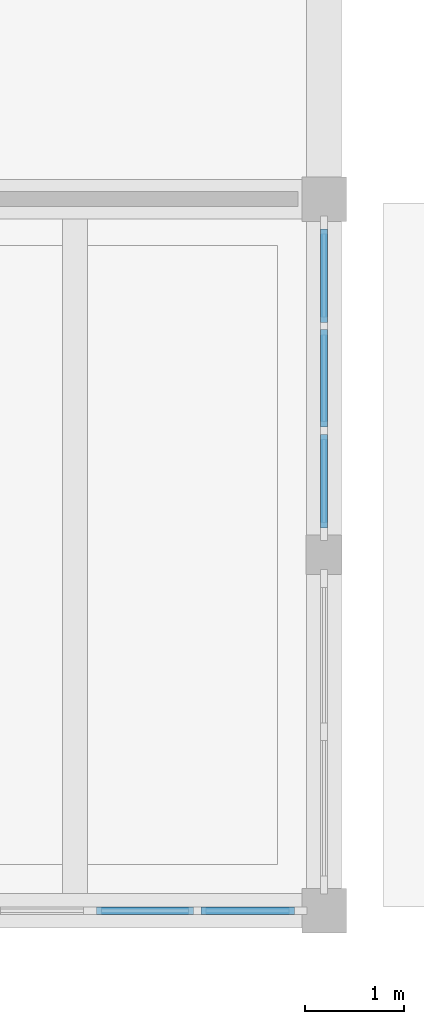
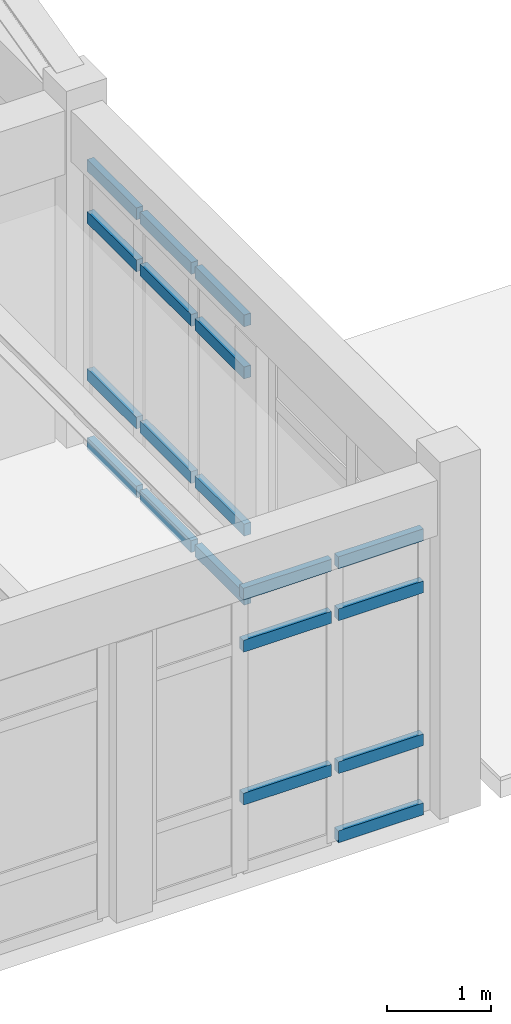
# One storey, part 66 of 136: 19 members, 2 elements without a shape of their own.
"""IFC4 building model written with IfcOpenShell, lengths in metres."""

from ifc_helpers import new_model, si_unit, direction, frame, origin, origin_2d, place, context, subcontext, project, spatial, rectangle, extrude, material, layer, layer_set, material_profile, profile_set, type_object, element, aggregate, save


model = new_model("IFC4")

# Units and contexts
model_context = context("Model", 3, precision=1e-05, world=origin(), true_north=direction((0.0, 1.0)))
body_context = subcontext(model_context, "Body", "Model", "MODEL_VIEW")
ifc_project = project(units=[si_unit("LENGTHUNIT", "METRE"), si_unit("AREAUNIT", "SQUARE_METRE"), si_unit("VOLUMEUNIT", "CUBIC_METRE"), si_unit("PLANEANGLEUNIT", "RADIAN"), si_unit("MASSUNIT", "GRAM", prefix="KILO")], contexts=[model_context])

# Site, building, storey
site_placement = place(None, origin())
site = spatial("IfcSite", under=ifc_project, at=site_placement, CompositionType="ELEMENT")
building_placement = place(site_placement, origin())
building = spatial("IfcBuilding", under=site, at=building_placement, Name="Koriwan Promenade Central Fire Station", CompositionType="ELEMENT")
storey_placement = place(building_placement, frame((0.0, 0.0, 5.39990234375)))
storey = spatial("IfcBuildingStorey", under=building, at=storey_placement, Name="L01", CompositionType="ELEMENT", Elevation=5.39990234375)

# Curtain wall, members
ifc_material_1 = material(Name="Aluminium EN AW-6063-T6 and low-E glazing", Category="aluminium")
ifc_layer_1 = layer(ifc_material_1, 0.159912109375, Name="Aluminium EN AW-6063-T6 and low-E glazing")
ifc_layer_set_1 = layer_set([ifc_layer_1], Name="Aluminium EN AW-6063-T6 and low-E glazing")
curtain_wall_type_1 = type_object("IfcCurtainWallType", Name="CurtainWall_27_318x335", PredefinedType="USERDEFINED", material=ifc_layer_set_1)
curtain_wall_1_placement = place(storey_placement, origin())
curtain_wall_1 = element("IfcCurtainWall", 1, at=curtain_wall_1_placement, inside=storey, type_object=curtain_wall_type_1, Name="V3 L01 unitised curtain wall 068", ObjectType="UNITISED CURTAIN WALL", PredefinedType="USERDEFINED")
ifc_material_2 = material(Name="Aluminium EN AW-6063-T6", Category="aluminium")
ifc_material_profile = material_profile(ifc_material_2, rectangle(XDim=0.074951171875, YDim=0.139892578125, at=origin_2d()), Name="ALU-TRN-75x140")
ifc_profile_set = profile_set([ifc_material_profile], Name="Aluminium EN AW-6063-T6")
member_type = type_object("IfcMemberType", Name="CWTransom_ALU-TRN-75x140", PredefinedType="USERDEFINED", material=ifc_profile_set)
member_1_placement = place(storey_placement, frame((36.0, 3.875, 0.03759765625), z_axis=(0.0, 1.0, 0.0), x_axis=(-1.0, 0.0, 0.0)))
member_1 = element("IfcMember", 2, at=member_1_placement, type_object=member_type, Name="CW-27 transom 1.1", ObjectType="TRANSOM", PredefinedType="USERDEFINED", context=body_context, shape_type="SweptSolid", body=[
    extrude(rectangle(XDim=0.074951171875, YDim=0.139892578125, at=origin_2d()), origin(), (0.0, 0.0, 1.0), 0.94580078125),
])
member_2_placement = place(storey_placement, frame((36.0, 3.875, 0.85009765625), z_axis=(0.0, 1.0, 0.0), x_axis=(-1.0, 0.0, 0.0)))
member_2 = element("IfcMember", 3, at=member_2_placement, type_object=member_type, Name="CW-27 transom 1.2", ObjectType="TRANSOM", PredefinedType="USERDEFINED", context=body_context, shape_type="SweptSolid", body=[
    extrude(rectangle(XDim=0.074951171875, YDim=0.139892578125, at=origin_2d()), origin(), (0.0, 0.0, 1.0), 0.94580078125),
])
member_3_placement = place(storey_placement, frame((36.0, 3.875, 2.7001953125), z_axis=(0.0, 1.0, 0.0), x_axis=(-1.0, 0.0, 0.0)))
member_3 = element("IfcMember", 4, at=member_3_placement, type_object=member_type, Name="CW-27 transom 1.3", ObjectType="TRANSOM", PredefinedType="USERDEFINED", context=body_context, shape_type="SweptSolid", body=[
    extrude(rectangle(XDim=0.074951171875, YDim=0.139892578125, at=origin_2d()), origin(), (0.0, 0.0, 1.0), 0.94580078125),
])
member_4_placement = place(storey_placement, frame((36.0, 3.875, 3.3125), z_axis=(0.0, 1.0, 0.0), x_axis=(-1.0, 0.0, 0.0)))
member_4 = element("IfcMember", 5, at=member_4_placement, type_object=member_type, Name="CW-27 transom 1.4", ObjectType="TRANSOM", PredefinedType="USERDEFINED", context=body_context, shape_type="SweptSolid", body=[
    extrude(rectangle(XDim=0.074951171875, YDim=0.139892578125, at=origin_2d()), origin(), (0.0, 0.0, 1.0), 0.94580078125),
])
member_5_placement = place(storey_placement, frame((36.0, 4.895751953125, 0.03759765625), z_axis=(0.0, 1.0, 0.0), x_axis=(-1.0, 0.0, 0.0)))
member_5 = element("IfcMember", 6, at=member_5_placement, type_object=member_type, Name="CW-27 transom 2.1", ObjectType="TRANSOM", PredefinedType="USERDEFINED", context=body_context, shape_type="SweptSolid", body=[
    extrude(rectangle(XDim=0.074951171875, YDim=0.139892578125, at=origin_2d()), origin(), (0.0, 0.0, 1.0), 0.9833984375),
])
member_6_placement = place(storey_placement, frame((36.0, 4.895751953125, 0.85009765625), z_axis=(0.0, 1.0, 0.0), x_axis=(-1.0, 0.0, 0.0)))
member_6 = element("IfcMember", 7, at=member_6_placement, type_object=member_type, Name="CW-27 transom 2.2", ObjectType="TRANSOM", PredefinedType="USERDEFINED", context=body_context, shape_type="SweptSolid", body=[
    extrude(rectangle(XDim=0.074951171875, YDim=0.139892578125, at=origin_2d()), origin(), (0.0, 0.0, 1.0), 0.9833984375),
])
member_7_placement = place(storey_placement, frame((36.0, 4.895751953125, 2.7001953125), z_axis=(0.0, 1.0, 0.0), x_axis=(-1.0, 0.0, 0.0)))
member_7 = element("IfcMember", 8, at=member_7_placement, type_object=member_type, Name="CW-27 transom 2.3", ObjectType="TRANSOM", PredefinedType="USERDEFINED", context=body_context, shape_type="SweptSolid", body=[
    extrude(rectangle(XDim=0.074951171875, YDim=0.139892578125, at=origin_2d()), origin(), (0.0, 0.0, 1.0), 0.9833984375),
])
member_8_placement = place(storey_placement, frame((36.0, 4.895751953125, 3.3125), z_axis=(0.0, 1.0, 0.0), x_axis=(-1.0, 0.0, 0.0)))
member_8 = element("IfcMember", 9, at=member_8_placement, type_object=member_type, Name="CW-27 transom 2.4", ObjectType="TRANSOM", PredefinedType="USERDEFINED", context=body_context, shape_type="SweptSolid", body=[
    extrude(rectangle(XDim=0.074951171875, YDim=0.139892578125, at=origin_2d()), origin(), (0.0, 0.0, 1.0), 0.9833984375),
])
member_9_placement = place(storey_placement, frame((36.0, 5.9541015625, 0.03759765625), z_axis=(0.0, 1.0, 0.0), x_axis=(-1.0, 0.0, 0.0)))
member_9 = element("IfcMember", 10, at=member_9_placement, type_object=member_type, Name="CW-27 transom 3.1", ObjectType="TRANSOM", PredefinedType="USERDEFINED", context=body_context, shape_type="SweptSolid", body=[
    extrude(rectangle(XDim=0.074951171875, YDim=0.139892578125, at=origin_2d()), origin(), (0.0, 0.0, 1.0), 0.94580078125),
])
member_10_placement = place(storey_placement, frame((36.0, 5.9541015625, 0.85009765625), z_axis=(0.0, 1.0, 0.0), x_axis=(-1.0, 0.0, 0.0)))
member_10 = element("IfcMember", 11, at=member_10_placement, type_object=member_type, Name="CW-27 transom 3.2", ObjectType="TRANSOM", PredefinedType="USERDEFINED", context=body_context, shape_type="SweptSolid", body=[
    extrude(rectangle(XDim=0.074951171875, YDim=0.139892578125, at=origin_2d()), origin(), (0.0, 0.0, 1.0), 0.94580078125),
])
member_11_placement = place(storey_placement, frame((36.0, 5.9541015625, 2.7001953125), z_axis=(0.0, 1.0, 0.0), x_axis=(-1.0, 0.0, 0.0)))
member_11 = element("IfcMember", 12, at=member_11_placement, type_object=member_type, Name="CW-27 transom 3.3", ObjectType="TRANSOM", PredefinedType="USERDEFINED", context=body_context, shape_type="SweptSolid", body=[
    extrude(rectangle(XDim=0.074951171875, YDim=0.139892578125, at=origin_2d()), origin(), (0.0, 0.0, 1.0), 0.94580078125),
])
member_12_placement = place(storey_placement, frame((36.0, 5.9541015625, 3.3125), z_axis=(0.0, 1.0, 0.0), x_axis=(-1.0, 0.0, 0.0)))
member_12 = element("IfcMember", 13, at=member_12_placement, type_object=member_type, Name="CW-27 transom 3.4", ObjectType="TRANSOM", PredefinedType="USERDEFINED", context=body_context, shape_type="SweptSolid", body=[
    extrude(rectangle(XDim=0.074951171875, YDim=0.139892578125, at=origin_2d()), origin(), (0.0, 0.0, 1.0), 0.94580078125),
])
aggregate(curtain_wall_1, [member_1, member_2, member_3, member_4, member_5, member_6, member_7, member_8, member_9, member_10, member_11, member_12])

ifc_layer_2 = layer(ifc_material_1, 0.159912109375, Name="Aluminium EN AW-6063-T6 and low-E glazing")
ifc_layer_set_2 = layer_set([ifc_layer_2], Name="Aluminium EN AW-6063-T6 and low-E glazing")
curtain_wall_type_2 = type_object("IfcCurtainWallType", Name="CurtainWall_32_317x330", PredefinedType="USERDEFINED", material=ifc_layer_set_2)
curtain_wall_2_placement = place(storey_placement, origin())
curtain_wall_2 = element("IfcCurtainWall", 14, at=curtain_wall_2_placement, inside=storey, type_object=curtain_wall_type_2, Name="V3 L01 unitised curtain wall 080", ObjectType="UNITISED CURTAIN WALL", PredefinedType="USERDEFINED")
member_13_placement = place(storey_placement, frame((33.69580078125, 0.0, 0.85009765625), z_axis=(1.0, 0.0, 0.0), x_axis=(0.0, 1.0, 0.0)))
member_13 = element("IfcMember", 15, at=member_13_placement, type_object=member_type, Name="CW-32 transom 2.2", ObjectType="TRANSOM", PredefinedType="USERDEFINED", context=body_context, shape_type="SweptSolid", body=[
    extrude(rectangle(XDim=0.074951171875, YDim=0.139892578125, at=origin_2d()), origin(), (0.0, 0.0, 1.0), 0.9833984375),
])
member_14_placement = place(storey_placement, frame((33.69580078125, 0.0, 2.650146484375), z_axis=(1.0, 0.0, 0.0), x_axis=(0.0, 1.0, 0.0)))
member_14 = element("IfcMember", 16, at=member_14_placement, type_object=member_type, Name="CW-32 transom 2.3", ObjectType="TRANSOM", PredefinedType="USERDEFINED", context=body_context, shape_type="SweptSolid", body=[
    extrude(rectangle(XDim=0.074951171875, YDim=0.139892578125, at=origin_2d()), origin(), (0.0, 0.0, 1.0), 0.9833984375),
])
member_15_placement = place(storey_placement, frame((33.69580078125, 0.0, 3.2626953125), z_axis=(1.0, 0.0, 0.0), x_axis=(0.0, 1.0, 0.0)))
member_15 = element("IfcMember", 17, at=member_15_placement, type_object=member_type, Name="CW-32 transom 2.4", ObjectType="TRANSOM", PredefinedType="USERDEFINED", context=body_context, shape_type="SweptSolid", body=[
    extrude(rectangle(XDim=0.074951171875, YDim=0.139892578125, at=origin_2d()), origin(), (0.0, 0.0, 1.0), 0.9833984375),
])
member_16_placement = place(storey_placement, frame((34.754150390625, 0.0, 0.03759765625), z_axis=(1.0, 0.0, 0.0), x_axis=(0.0, 1.0, 0.0)))
member_16 = element("IfcMember", 18, at=member_16_placement, type_object=member_type, Name="CW-32 transom 3.1", ObjectType="TRANSOM", PredefinedType="USERDEFINED", context=body_context, shape_type="SweptSolid", body=[
    extrude(rectangle(XDim=0.074951171875, YDim=0.139892578125, at=origin_2d()), origin(), (0.0, 0.0, 1.0), 0.94580078125),
])
member_17_placement = place(storey_placement, frame((34.754150390625, 0.0, 0.85009765625), z_axis=(1.0, 0.0, 0.0), x_axis=(0.0, 1.0, 0.0)))
member_17 = element("IfcMember", 19, at=member_17_placement, type_object=member_type, Name="CW-32 transom 3.2", ObjectType="TRANSOM", PredefinedType="USERDEFINED", context=body_context, shape_type="SweptSolid", body=[
    extrude(rectangle(XDim=0.074951171875, YDim=0.139892578125, at=origin_2d()), origin(), (0.0, 0.0, 1.0), 0.94580078125),
])
member_18_placement = place(storey_placement, frame((34.754150390625, 0.0, 2.650146484375), z_axis=(1.0, 0.0, 0.0), x_axis=(0.0, 1.0, 0.0)))
member_18 = element("IfcMember", 20, at=member_18_placement, type_object=member_type, Name="CW-32 transom 3.3", ObjectType="TRANSOM", PredefinedType="USERDEFINED", context=body_context, shape_type="SweptSolid", body=[
    extrude(rectangle(XDim=0.074951171875, YDim=0.139892578125, at=origin_2d()), origin(), (0.0, 0.0, 1.0), 0.94580078125),
])
member_19_placement = place(storey_placement, frame((34.754150390625, 0.0, 3.2626953125), z_axis=(1.0, 0.0, 0.0), x_axis=(0.0, 1.0, 0.0)))
member_19 = element("IfcMember", 21, at=member_19_placement, type_object=member_type, Name="CW-32 transom 3.4", ObjectType="TRANSOM", PredefinedType="USERDEFINED", context=body_context, shape_type="SweptSolid", body=[
    extrude(rectangle(XDim=0.074951171875, YDim=0.139892578125, at=origin_2d()), origin(), (0.0, 0.0, 1.0), 0.94580078125),
])
aggregate(curtain_wall_2, [member_13, member_14, member_15, member_16, member_17, member_18, member_19])

save(model, "model.ifc")
